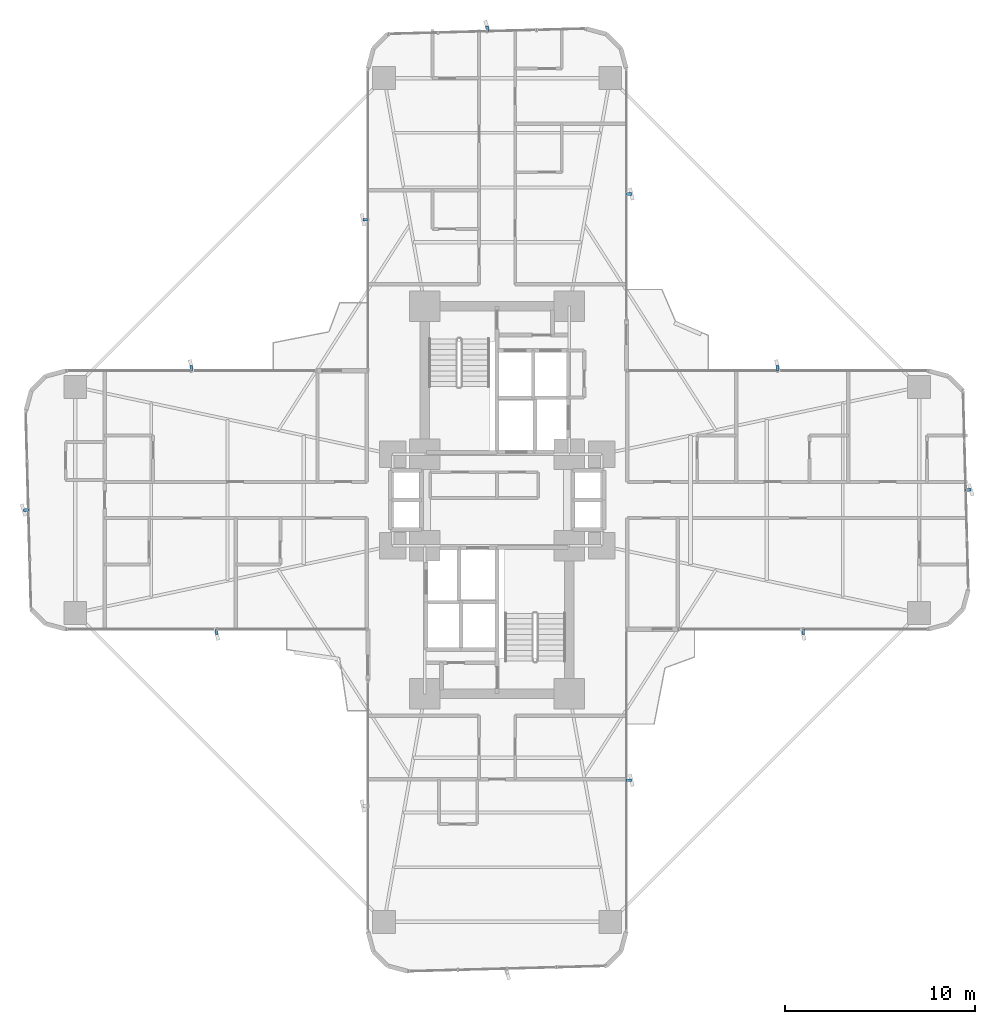
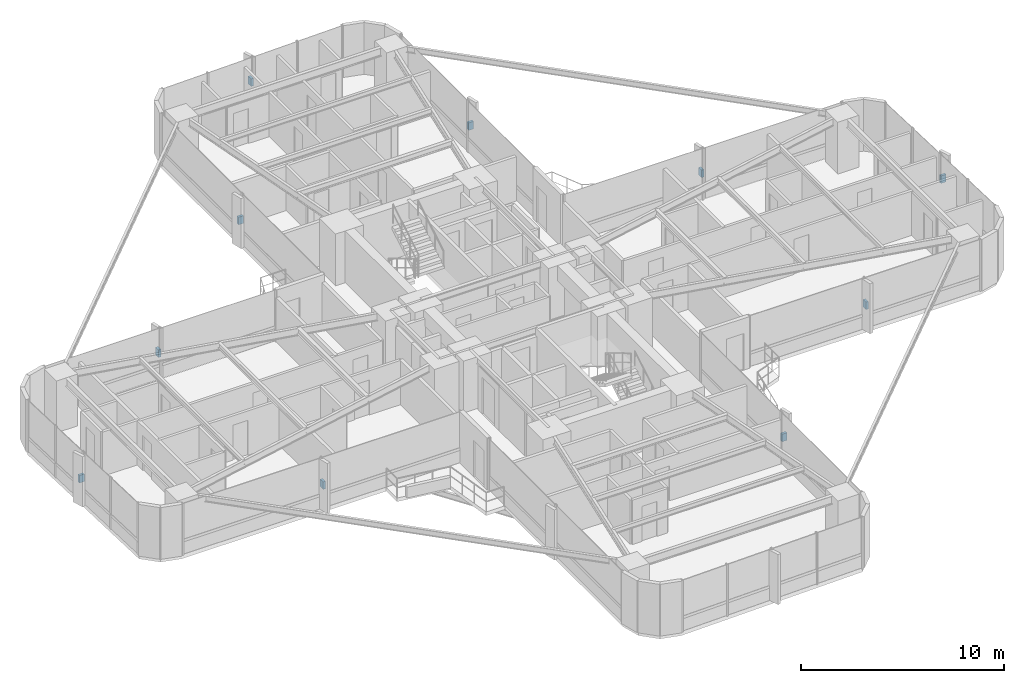
# One storey, part 25 of 26: 10 discrete accessories.
"""IFC4 building model written with IfcOpenShell, lengths in metres."""

from ifc_helpers import new_model, si_unit, direction, frame, origin, origin_2d, place, context, subcontext, project, spatial, rectangle, extrude, source, transform, mapped, material, type_object, element, save


model = new_model("IFC4")

# Units and contexts
model_context = context("Model", 3, precision=1e-05, world=origin(), true_north=direction((0.0, 1.0)))
body_context = subcontext(model_context, "Body", "Model", "MODEL_VIEW")
ifc_project = project(units=[si_unit("LENGTHUNIT", "METRE"), si_unit("AREAUNIT", "SQUARE_METRE"), si_unit("VOLUMEUNIT", "CUBIC_METRE"), si_unit("PLANEANGLEUNIT", "RADIAN"), si_unit("MASSUNIT", "GRAM", prefix="KILO")], contexts=[model_context])

# Site, building, storey
site_placement = place(None, origin())
site = spatial("IfcSite", under=ifc_project, at=site_placement, CompositionType="ELEMENT")
building_placement = place(site_placement, origin())
building = spatial("IfcBuilding", under=site, at=building_placement, Name="Sahyath Konkavel Grand Hotel", CompositionType="ELEMENT")
storey_placement = place(building_placement, frame((0.0, 0.0, 26.449951171875)))
storey = spatial("IfcBuildingStorey", under=building, at=storey_placement, Name="L06", CompositionType="ELEMENT", Elevation=26.449951171875)

# Discrete accessories
ifc_material = material(Name="Steel E350", Category="steel")
discrete_accessory_type = type_object("IfcDiscreteAccessoryType", Name="ACC-FIN-BRACKET", PredefinedType="BRACKET", material=ifc_material)
shared_shape = source(origin(), body_context, "Body", "SweptSolid", [
    extrude(rectangle(XDim=0.280029296875, YDim=0.139892578125, at=origin_2d()), origin(), (0.0, 0.0, 1.0), 0.449951171875),
])
for number, where, z_axis, x_axis, name in (
    (1, (16.10009765625, -6.929931640625, 1.330078125), (0.0, 0.0, 1.0), (0.0, -1.0, 0.0), "L06 Fin Support Bracket F0-1"),
    (2, (24.789306640625, 0.528564453125, 1.330078125), (0.0, 0.0, 1.0), (0.999637867691, 0.026909728301, 0.0), "L06 Fin Support Bracket F4-2"),
    (3, (14.75, 6.929931640625, 1.330078125), (0.0, 0.0, 1.0), (0.0, 1.0, 0.0), "L06 Fin Support Bracket F7-1"),
    (4, (6.929931640625, 16.10009765625, 1.330078125), (0.0, 0.0, 1.0), (1.0, 0.0, 0.0), "L06 Fin Support Bracket F8-1"),
    (5, (-0.528564453125, 24.789306640625, 1.330078125), (0.0, 0.0, 1.0), (-0.026909728301, 0.999637867691, 0.0), "L06 Fin Support Bracket F12-2"),
    (6, (-6.929931640625, 14.75, 1.330078125), (0.0, 0.0, 1.0), (-1.0, 0.0, 0.0), "L06 Fin Support Bracket F15-1"),
    (7, (-16.10009765625, 6.929931640625, 1.330078125), (0.0, 0.0, 1.0), (0.0, 1.0, 0.0), "L06 Fin Support Bracket F16-1"),
    (8, (-24.789306640625, -0.528564453125, 1.330078125), (0.0, 0.0, 1.0), (-0.999637867691, -0.026909728301, 0.0), "L06 Fin Support Bracket F20-2"),
    (9, (-14.75, -6.929931640625, 1.330078125), (0.0, 0.0, 1.0), (0.0, -1.0, 0.0), "L06 Fin Support Bracket F23-1"),
    (10, (6.929931640625, -14.75, 1.330078125), (0.0, 0.0, 1.0), (1.0, 0.0, 0.0), "L06 Fin Support Bracket F31-1"),
):
    element("IfcDiscreteAccessory", number, at=place(storey_placement, frame(where, z_axis=z_axis, x_axis=x_axis)), inside=storey, type_object=discrete_accessory_type, Name=name, PredefinedType="BRACKET", context=body_context, shape_type="MappedRepresentation", body=[
        mapped(shared_shape, transform((0.0, 0.0, 0.0), scale=1.0)),
    ])

save(model, "model.ifc")
